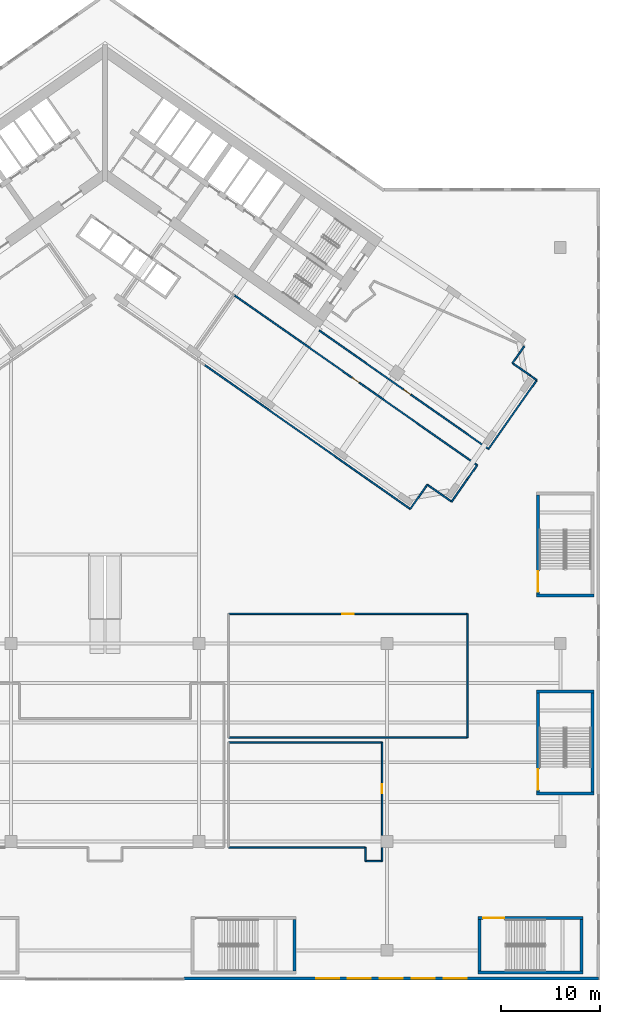
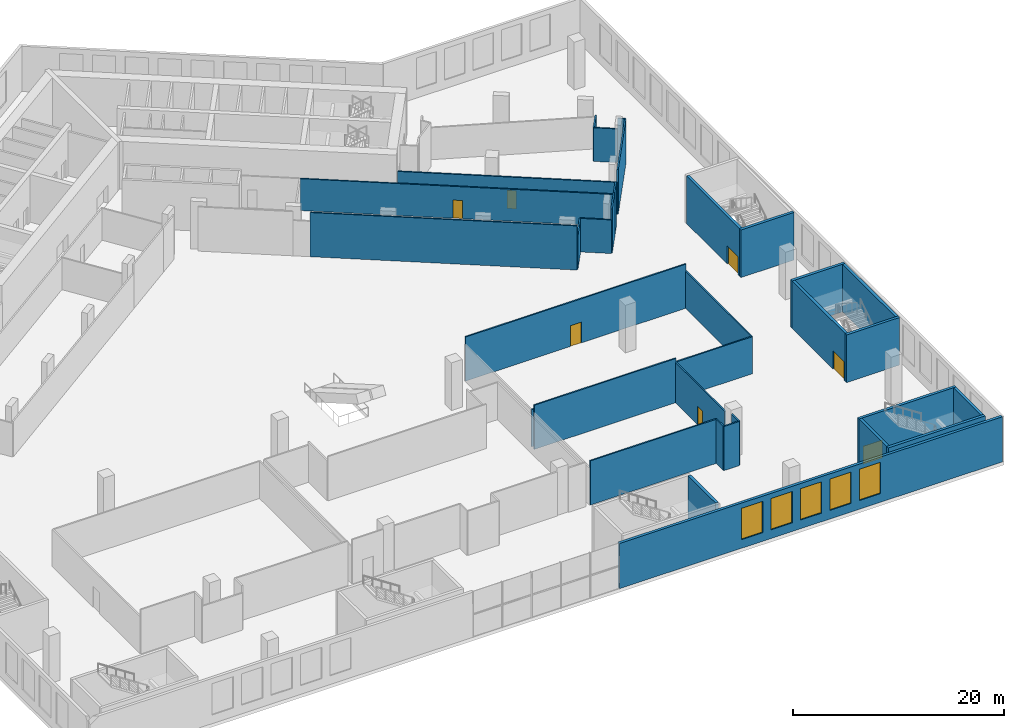
# One storey, part 8 of 26: 32 walls, 7 doors, 5 windows, 12 openings.
"""IFC4 building model written with IfcOpenShell, lengths in metres."""

from ifc_helpers import new_model, si_unit, direction, frame, frame_2d, origin, place, context, subcontext, project, spatial, rectangle, extrude, material, layer, layer_set, type_object, element, fill, save


model = new_model("IFC4")

# Units and contexts
model_context = context("Model", 3, precision=1e-05, world=origin(), true_north=direction((0.0, 1.0)))
body_context = subcontext(model_context, "Body", "Model", "MODEL_VIEW")
ifc_project = project(units=[si_unit("LENGTHUNIT", "METRE"), si_unit("AREAUNIT", "SQUARE_METRE"), si_unit("VOLUMEUNIT", "CUBIC_METRE"), si_unit("PLANEANGLEUNIT", "RADIAN"), si_unit("MASSUNIT", "GRAM", prefix="KILO")], contexts=[model_context])

# Site, building, storey
site_placement = place(None, origin())
site = spatial("IfcSite", under=ifc_project, at=site_placement, CompositionType="ELEMENT")
building_placement = place(site_placement, origin())
building = spatial("IfcBuilding", under=site, at=building_placement, Name="Tel Ilan Convention Tower", CompositionType="ELEMENT")
storey_placement = place(building_placement, frame((0.0, 0.0, 37.5)))
storey = spatial("IfcBuildingStorey", under=building, at=storey_placement, Name="L05", CompositionType="ELEMENT", Elevation=37.5)

# Wall, opening, door
ifc_material_1 = material(Name="Plasterboard on Steel Studs", Category="steel")
ifc_layer_1 = layer(ifc_material_1, 0.14990234375)
ifc_layer_set_1 = layer_set([ifc_layer_1], Name="Fire-rated Partition 150 EI 60")
wall_type_1 = type_object("IfcWallType", Name="Fire-rated Partition 150 EI 60", PredefinedType="PARTITIONING", material=ifc_layer_set_1)
wall_1_placement = place(storey_placement, frame((21.641845703125, -16.37451171875, 0.0), z_axis=(0.0, 0.0, 1.0), x_axis=(0.819148965066, -0.573580833911, 0.0)))
wall_1 = element("IfcWall", 1, at=wall_1_placement, inside=storey, type_object=wall_type_1, Name="Partition 001", PredefinedType="PARTITIONING", context=body_context, shape_type="SweptSolid", body=[
    extrude(rectangle(XDim=20.8798828125, YDim=0.14990234375, at=frame_2d((10.43994140625, 0.0))), origin(), (0.0, 0.0, 1.0), 3.679931640625),
])
opening_1_placement = place(wall_1_placement, frame((10.389892578125, 0.0, 0.0)))
opening_1 = element("IfcOpeningElement", 2, at=opening_1_placement, cuts=wall_1, Name="Opening L05-006", PredefinedType="OPENING", context=body_context, shape_type="SweptSolid", body=[
    extrude(rectangle(XDim=0.89990234375, YDim=2.10009765625, at=frame_2d((0.449951171875, 1.050048828125))), frame((0.0, 0.0849609375, 0.0), z_axis=(0.0, -1.0, 0.0), x_axis=(1.0, 0.0, 0.0)), (0.0, 0.0, 1.0), 0.169921875),
])
ifc_material_2 = material(Name="Timber Door Leaf in Steel Frame", Category="steel")
door_type_1 = type_object("IfcDoorType", Name="Room Fire Door 900x2100", OperationType="NOTDEFINED", PredefinedType="DOOR", material=ifc_material_2)
door_1_placement = place(opening_1_placement, origin())
door_1 = element("IfcDoor", 3, at=door_1_placement, inside=storey, type_object=door_type_1, Name="Door L05-006", OperationType="SINGLE_SWING_RIGHT", OverallHeight=2.10009765625, OverallWidth=0.89990234375, PredefinedType="DOOR", context=body_context, shape_type="SweptSolid", body=[
    extrude(rectangle(XDim=0.89990234375, YDim=2.10009765625, at=frame_2d((0.449951171875, 1.050048828125))), frame((0.0, 0.02490234375, 0.0), z_axis=(0.0, -1.0, 0.0), x_axis=(1.0, 0.0, 0.0)), (0.0, 0.0, 1.0), 0.050048828125),
])
fill(opening_1, door_1)

wall_2_placement = place(storey_placement, frame((37.5986328125, -29.989013671875, 0.0), z_axis=(0.0, 0.0, 1.0), x_axis=(-0.819154688631, 0.57357265982, 0.0)))
wall_2 = element("IfcWall", 4, at=wall_2_placement, inside=storey, type_object=wall_type_1, Name="Partition 003", PredefinedType="PARTITIONING", context=body_context, shape_type="SweptSolid", body=[
    extrude(rectangle(XDim=30.001953125, YDim=0.14990234375, at=frame_2d((15.0009765625, 0.0))), origin(), (0.0, 0.0, 1.0), 3.679931640625),
])
opening_2_placement = place(wall_2_placement, frame((14.551025390625, 0.0, 0.0)))
opening_2 = element("IfcOpeningElement", 5, at=opening_2_placement, cuts=wall_2, Name="Opening L05-005", PredefinedType="OPENING", context=body_context, shape_type="SweptSolid", body=[
    extrude(rectangle(XDim=0.89990234375, YDim=2.10009765625, at=frame_2d((0.449951171875, 1.050048828125))), frame((0.0, 0.0849609375, 0.0), z_axis=(0.0, -1.0, 0.0), x_axis=(1.0, 0.0, 0.0)), (0.0, 0.0, 1.0), 0.169921875),
])
door_2_placement = place(opening_2_placement, origin())
door_2 = element("IfcDoor", 6, at=door_2_placement, inside=storey, type_object=door_type_1, Name="Door L05-005", OperationType="SINGLE_SWING_LEFT", OverallHeight=2.10009765625, OverallWidth=0.89990234375, PredefinedType="DOOR", context=body_context, shape_type="SweptSolid", body=[
    extrude(rectangle(XDim=0.89990234375, YDim=2.10009765625, at=frame_2d((0.449951171875, 1.050048828125))), frame((0.0, 0.02490234375, 0.0), z_axis=(0.0, -1.0, 0.0), x_axis=(1.0, 0.0, 0.0)), (0.0, 0.0, 1.0), 0.050048828125),
])
fill(opening_2, door_2)

# Walls
wall_3_placement = place(storey_placement, frame((42.357421875, -17.96240234375, 0.0), z_axis=(0.0, 0.0, 1.0), x_axis=(-0.573533201177, -0.819182316183, 0.0)))
element("IfcWall", 7, at=wall_3_placement, inside=storey, type_object=wall_type_1, Name="Partition 007", PredefinedType="PARTITIONING", context=body_context, shape_type="SweptSolid", body=[
    extrude(rectangle(XDim=2.0810546875, YDim=0.14990234375, at=frame_2d((1.04052734375, 0.0))), origin(), (0.0, 0.0, 1.0), 3.8798828125),
])
wall_4_placement = place(storey_placement, frame((41.163818359375, -19.667236328125, 0.0), z_axis=(0.0, 0.0, 1.0), x_axis=(0.81912956014, -0.573608545704, 0.0)))
element("IfcWall", 8, at=wall_4_placement, inside=storey, type_object=wall_type_1, Name="Partition 008", PredefinedType="PARTITIONING", context=body_context, shape_type="SweptSolid", body=[
    extrude(rectangle(XDim=2.2412109375, YDim=0.14990234375, at=frame_2d((1.12060546875, 0.0))), origin(), (0.0, 0.0, 1.0), 3.8798828125),
])
wall_5_placement = place(storey_placement, frame((42.998046875, -20.95166015625, 0.0), z_axis=(0.0, 0.0, 1.0), x_axis=(0.819141432686, -0.573591590992, 0.0)))
element("IfcWall", 9, at=wall_5_placement, inside=storey, type_object=wall_type_1, Name="Partition 009", PredefinedType="PARTITIONING", context=body_context, shape_type="SweptSolid", body=[
    extrude(rectangle(XDim=0.760498046875, YDim=0.14990234375, at=frame_2d((0.38037109375, 0.0))), origin(), (0.0, 0.0, 1.0), 5.10009765625),
])
wall_6_placement = place(storey_placement, frame((43.62109375, -21.387939453125, 0.0), z_axis=(0.0, 0.0, 1.0), x_axis=(-0.57357799764, -0.819150951061, 0.0)))
element("IfcWall", 10, at=wall_6_placement, inside=storey, type_object=wall_type_1, Name="Partition 010", PredefinedType="PARTITIONING", context=body_context, shape_type="SweptSolid", body=[
    extrude(rectangle(XDim=8.500244140625, YDim=0.14990234375, at=frame_2d((4.25, 0.0))), origin(), (0.0, 0.0, 1.0), 5.10009765625),
])
wall_7_placement = place(storey_placement, frame((32.56005859375, -31.95458984375, 0.0), z_axis=(0.0, 0.0, 1.0), x_axis=(-0.573560650686, -0.819163097304, 0.0)))
element("IfcWall", 11, at=wall_7_placement, inside=storey, type_object=wall_type_1, Name="Partition 021", PredefinedType="PARTITIONING", context=body_context, shape_type="SweptSolid", body=[
    extrude(rectangle(XDim=3.0, YDim=0.14990234375, at=frame_2d((1.5, 0.0))), origin(), (0.0, 0.0, 1.0), 3.8798828125),
])
wall_8_placement = place(storey_placement, frame((30.83935546875, -34.412109375, 0.0), z_axis=(0.0, 0.0, 1.0), x_axis=(-0.819153188106, 0.573574802808, 0.0)))
element("IfcWall", 12, at=wall_8_placement, inside=storey, type_object=wall_type_1, Name="Partition 022", PredefinedType="PARTITIONING", context=body_context, shape_type="SweptSolid", body=[
    extrude(rectangle(XDim=25.3505859375, YDim=0.14990234375, at=frame_2d((12.67529296875, 0.0))), origin(), (0.0, 0.0, 1.0), 5.10009765625),
])
wall_9_placement = place(storey_placement, frame((36.59912109375, -31.41650390625, 0.0), z_axis=(0.0, 0.0, 1.0), x_axis=(-0.573557416232, -0.819165361991, 0.0)))
element("IfcWall", 13, at=wall_9_placement, inside=storey, type_object=wall_type_1, Name="Partition 023", PredefinedType="PARTITIONING", context=body_context, shape_type="SweptSolid", body=[
    extrude(rectangle(XDim=2.75732421875, YDim=0.14990234375, at=frame_2d((1.378662109375, 0.0))), origin(), (0.0, 0.0, 1.0), 5.10009765625),
])
wall_10_placement = place(storey_placement, frame((35.017578125, -33.67529296875, 0.0), z_axis=(0.0, 0.0, 1.0), x_axis=(-0.819163097304, 0.573560650686, 0.0)))
element("IfcWall", 14, at=wall_10_placement, inside=storey, type_object=wall_type_1, Name="Partition 024", PredefinedType="PARTITIONING", context=body_context, shape_type="SweptSolid", body=[
    extrude(rectangle(XDim=3.0, YDim=0.14990234375, at=frame_2d((1.5, 0.0))), origin(), (0.0, 0.0, 1.0), 3.8798828125),
])
wall_11_placement = place(storey_placement, frame((37.5986328125, -29.989013671875, 0.0), z_axis=(0.0, 0.0, 1.0), x_axis=(-0.573575034625, -0.819153025786, 0.0)))
element("IfcWall", 15, at=wall_11_placement, inside=storey, type_object=wall_type_1, Name="Partition 025", PredefinedType="PARTITIONING", context=body_context, shape_type="SweptSolid", body=[
    extrude(rectangle(XDim=1.74462890625, YDim=0.14990234375, at=frame_2d((0.872314453125, 0.0))), origin(), (0.0, 0.0, 1.0), 5.10009765625),
])
wall_12_placement = place(storey_placement, frame((26.301025390625, -70.0009765625, 0.0), z_axis=(0.0, 0.0, 1.0), x_axis=(1.0, 0.0, 0.0)))
element("IfcWall", 16, at=wall_12_placement, inside=storey, type_object=wall_type_1, Name="Partition 033", PredefinedType="PARTITIONING", context=body_context, shape_type="SweptSolid", body=[
    extrude(rectangle(XDim=1.698974609375, YDim=0.14990234375, at=frame_2d((0.849609375, 0.0))), origin(), (0.0, 0.0, 1.0), 5.10009765625),
])
wall_13_placement = place(storey_placement, frame((28.0009765625, -70.0, 0.0), z_axis=(0.0, 0.0, 1.0), x_axis=(0.0, 1.0, 0.0)))
element("IfcWall", 17, at=wall_13_placement, inside=storey, type_object=wall_type_1, Name="Partition 034", PredefinedType="PARTITIONING", context=body_context, shape_type="SweptSolid", body=[
    extrude(rectangle(XDim=1.3798828125, YDim=0.14990234375, at=frame_2d((0.68994140625, 0.0))), origin(), (0.0, 0.0, 1.0), 5.10009765625),
])

# Wall, opening, door
wall_14_placement = place(storey_placement, frame((28.0009765625, -67.3798828125, 0.0), z_axis=(0.0, 0.0, 1.0), x_axis=(0.0, 1.0, 0.0)))
wall_14 = element("IfcWall", 18, at=wall_14_placement, inside=storey, type_object=wall_type_1, Name="Partition 035", PredefinedType="PARTITIONING", context=body_context, shape_type="SweptSolid", body=[
    extrude(rectangle(XDim=9.3798828125, YDim=0.14990234375, at=frame_2d((4.68994140625, 0.0))), origin(), (0.0, 0.0, 1.0), 4.6298828125),
])
opening_3_placement = place(wall_14_placement, frame((4.239990234375, 0.0, 0.0)))
opening_3 = element("IfcOpeningElement", 19, at=opening_3_placement, cuts=wall_14, Name="Opening L05-009", PredefinedType="OPENING", context=body_context, shape_type="SweptSolid", body=[
    extrude(rectangle(XDim=0.89990234375, YDim=2.10009765625, at=frame_2d((0.449951171875, 1.050048828125))), frame((0.0, 0.0849609375, 0.0), z_axis=(0.0, -1.0, 0.0), x_axis=(1.0, 0.0, 0.0)), (0.0, 0.0, 1.0), 0.169921875),
])
ifc_material_3 = material(Name="Timber Door Leaf in Steel Frame", Category="steel")
door_type_2 = type_object("IfcDoorType", Name="Riser and Service Fire Door 900x2100", OperationType="NOTDEFINED", PredefinedType="DOOR", material=ifc_material_3)
door_3_placement = place(opening_3_placement, origin())
door_3 = element("IfcDoor", 20, at=door_3_placement, inside=storey, type_object=door_type_2, Name="Door L05-009", OperationType="SINGLE_SWING_RIGHT", OverallHeight=2.10009765625, OverallWidth=0.89990234375, PredefinedType="DOOR", context=body_context, shape_type="SweptSolid", body=[
    extrude(rectangle(XDim=0.89990234375, YDim=2.10009765625, at=frame_2d((0.449951171875, 1.050048828125))), frame((0.0, 0.02490234375, 0.0), z_axis=(0.0, -1.0, 0.0), x_axis=(1.0, 0.0, 0.0)), (0.0, 0.0, 1.0), 0.050048828125),
])
fill(opening_3, door_3)

# Wall
wall_15_placement = place(storey_placement, frame((28.0, -57.9990234375, 0.0), z_axis=(0.0, 0.0, 1.0), x_axis=(-1.0, 0.0, 0.0)))
element("IfcWall", 21, at=wall_15_placement, inside=storey, type_object=wall_type_1, Name="Partition 036", PredefinedType="PARTITIONING", context=body_context, shape_type="SweptSolid", body=[
    extrude(rectangle(XDim=15.5, YDim=0.14990234375, at=frame_2d((7.75, 0.0))), origin(), (0.0, 0.0, 1.0), 5.10009765625),
])

# Wall, opening, door
wall_16_placement = place(storey_placement, frame((36.59912109375, -44.9990234375, 0.0), z_axis=(0.0, 0.0, 1.0), x_axis=(-1.0, 0.0, 0.0)))
wall_16 = element("IfcWall", 22, at=wall_16_placement, inside=storey, type_object=wall_type_1, Name="Partition 038", PredefinedType="PARTITIONING", context=body_context, shape_type="SweptSolid", body=[
    extrude(rectangle(XDim=24.09912109375, YDim=0.14990234375, at=frame_2d((12.049560546875, 0.0))), origin(), (0.0, 0.0, 1.0), 5.10009765625),
])
opening_4_placement = place(wall_16_placement, frame((11.449462890625, 0.0, 0.0)))
opening_4 = element("IfcOpeningElement", 23, at=opening_4_placement, cuts=wall_16, Name="Opening L05-010", PredefinedType="OPENING", context=body_context, shape_type="SweptSolid", body=[
    extrude(rectangle(XDim=1.199951171875, YDim=2.39990234375, at=frame_2d((0.60009765625, 1.199951171875))), frame((0.0, 0.0849609375, 0.0), z_axis=(0.0, -1.0, 0.0), x_axis=(1.0, 0.0, 0.0)), (0.0, 0.0, 1.0), 0.169921875),
])
ifc_material_4 = material(Name="Glazed Aluminium Door", Category="aluminium")
door_type_3 = type_object("IfcDoorType", Name="Glazed Lobby Door 1200x2400", OperationType="NOTDEFINED", PredefinedType="DOOR", material=ifc_material_4)
door_4_placement = place(opening_4_placement, origin())
door_4 = element("IfcDoor", 24, at=door_4_placement, inside=storey, type_object=door_type_3, Name="Door L05-010", OperationType="DOUBLE_DOOR_SINGLE_SWING", OverallHeight=2.39990234375, OverallWidth=1.199951171875, PredefinedType="DOOR", context=body_context, shape_type="SweptSolid", body=[
    extrude(rectangle(XDim=1.199951171875, YDim=2.39990234375, at=frame_2d((0.60009765625, 1.199951171875))), frame((0.0, 0.02490234375, 0.0), z_axis=(0.0, -1.0, 0.0), x_axis=(1.0, 0.0, 0.0)), (0.0, 0.0, 1.0), 0.050048828125),
])
fill(opening_4, door_4)

# Walls
wall_17_placement = place(storey_placement, frame((12.5, -57.5009765625, 0.0), z_axis=(0.0, 0.0, 1.0), x_axis=(1.0, 0.0, 0.0)))
element("IfcWall", 25, at=wall_17_placement, inside=storey, type_object=wall_type_1, Name="Partition 040", PredefinedType="PARTITIONING", context=body_context, shape_type="SweptSolid", body=[
    extrude(rectangle(XDim=24.09912109375, YDim=0.14990234375, at=frame_2d((12.049560546875, 0.0))), origin(), (0.0, 0.0, 1.0), 4.280029296875),
])
wall_18_placement = place(storey_placement, frame((12.498291015625, -68.60009765625, 0.0), z_axis=(0.0, 0.0, 1.0), x_axis=(1.0, 0.0, 0.0)))
element("IfcWall", 26, at=wall_18_placement, inside=storey, type_object=wall_type_1, Name="Partition 061", PredefinedType="PARTITIONING", context=body_context, shape_type="SweptSolid", body=[
    extrude(rectangle(XDim=13.8017578125, YDim=0.14990234375, at=frame_2d((6.90087890625, 0.0))), origin(), (0.0, 0.0, 1.0), 5.10009765625),
])
wall_19_placement = place(storey_placement, frame((26.300048828125, -68.60009765625, 0.0), z_axis=(0.0, 0.0, 1.0), x_axis=(0.0, -1.0, 0.0)))
element("IfcWall", 27, at=wall_19_placement, inside=storey, type_object=wall_type_1, Name="Partition 062", PredefinedType="PARTITIONING", context=body_context, shape_type="SweptSolid", body=[
    extrude(rectangle(XDim=1.401611328125, YDim=0.14990234375, at=frame_2d((0.70068359375, 0.0))), origin(), (0.0, 0.0, 1.0), 5.10009765625),
])
wall_20_placement = place(storey_placement, frame((36.60009765625, -57.501708984375, 0.0), z_axis=(0.0, 0.0, 1.0), x_axis=(0.0, 1.0, 0.0)))
element("IfcWall", 28, at=wall_20_placement, inside=storey, type_object=wall_type_1, Name="Partition 063", PredefinedType="PARTITIONING", context=body_context, shape_type="SweptSolid", body=[
    extrude(rectangle(XDim=12.50341796875, YDim=0.14990234375, at=frame_2d((6.251708984375, 0.0))), origin(), (0.0, 0.0, 1.0), 4.280029296875),
])

# Wall, openings, windows
ifc_material_5 = material(Name="Bronze aluminium cladding panel on insulated steel frame", Category="steel")
ifc_layer_2 = layer(ifc_material_5, 0.300048828125)
ifc_layer_set_2 = layer_set([ifc_layer_2], Name="PODIUM CLADDING WALL 300")
wall_type_2 = type_object("IfcWallType", Name="PODIUM CLADDING WALL 300", PredefinedType="SOLIDWALL", material=ifc_layer_set_2)
wall_21_placement = place(storey_placement, frame((8.0, -81.85009765625, 0.0), z_axis=(0.0, 0.0, 1.0), x_axis=(1.0, 0.0, 0.0)))
wall_21 = element("IfcWall", 29, at=wall_21_placement, inside=storey, type_object=wall_type_2, Name="Podium cladding wall", PredefinedType="SOLIDWALL", context=body_context, shape_type="SweptSolid", body=[
    extrude(rectangle(XDim=41.85009765625, YDim=0.300048828125, at=frame_2d((20.925048828125, 0.0))), origin(), (0.0, 0.0, 1.0), 5.219970703125),
])
opening_5_placement = place(wall_21_placement, frame((13.326904296875, 0.0, 1.0)))
opening_5 = element("IfcOpeningElement", 30, at=opening_5_placement, cuts=wall_21, Name="Opening W-08.006", PredefinedType="OPENING", context=body_context, shape_type="SweptSolid", body=[
    extrude(rectangle(XDim=2.3193359375, YDim=3.6201171875, at=frame_2d((1.15966796875, 1.81005859375))), frame((0.0, 0.159912109375, 0.0), z_axis=(0.0, -1.0, 0.0), x_axis=(1.0, 0.0, 0.0)), (0.0, 0.0, 1.0), 0.320068359375),
])
opening_6_placement = place(wall_21_placement, frame((16.546142578125, 0.0, 1.0)))
opening_6 = element("IfcOpeningElement", 31, at=opening_6_placement, cuts=wall_21, Name="Opening W-08.007", PredefinedType="OPENING", context=body_context, shape_type="SweptSolid", body=[
    extrude(rectangle(XDim=2.3193359375, YDim=3.6201171875, at=frame_2d((1.15966796875, 1.81005859375))), frame((0.0, 0.159912109375, 0.0), z_axis=(0.0, -1.0, 0.0), x_axis=(1.0, 0.0, 0.0)), (0.0, 0.0, 1.0), 0.320068359375),
])
opening_7_placement = place(wall_21_placement, frame((19.765380859375, 0.0, 1.0)))
opening_7 = element("IfcOpeningElement", 32, at=opening_7_placement, cuts=wall_21, Name="Opening W-08.008", PredefinedType="OPENING", context=body_context, shape_type="SweptSolid", body=[
    extrude(rectangle(XDim=2.3193359375, YDim=3.6201171875, at=frame_2d((1.15966796875, 1.81005859375))), frame((0.0, 0.159912109375, 0.0), z_axis=(0.0, -1.0, 0.0), x_axis=(1.0, 0.0, 0.0)), (0.0, 0.0, 1.0), 0.320068359375),
])
opening_8_placement = place(wall_21_placement, frame((22.984619140625, 0.0, 1.0)))
opening_8 = element("IfcOpeningElement", 33, at=opening_8_placement, cuts=wall_21, Name="Opening W-08.009", PredefinedType="OPENING", context=body_context, shape_type="SweptSolid", body=[
    extrude(rectangle(XDim=2.3193359375, YDim=3.6201171875, at=frame_2d((1.15966796875, 1.81005859375))), frame((0.0, 0.159912109375, 0.0), z_axis=(0.0, -1.0, 0.0), x_axis=(1.0, 0.0, 0.0)), (0.0, 0.0, 1.0), 0.320068359375),
])
opening_9_placement = place(wall_21_placement, frame((26.203857421875, 0.0, 1.0)))
opening_9 = element("IfcOpeningElement", 34, at=opening_9_placement, cuts=wall_21, Name="Opening W-08.010", PredefinedType="OPENING", context=body_context, shape_type="SweptSolid", body=[
    extrude(rectangle(XDim=2.3193359375, YDim=3.6201171875, at=frame_2d((1.15966796875, 1.81005859375))), frame((0.0, 0.159912109375, 0.0), z_axis=(0.0, -1.0, 0.0), x_axis=(1.0, 0.0, 0.0)), (0.0, 0.0, 1.0), 0.320068359375),
])
ifc_material_6 = material(Name="Aluminium framed glazing, bronze anodised, tinted glass", Category="aluminium")
window_type = type_object("IfcWindowType", Name="PODIUM WINDOW 2319x3620", PartitioningType="SINGLE_PANEL", PredefinedType="WINDOW", material=ifc_material_6)
window_1_placement = place(opening_5_placement, origin())
window_1 = element("IfcWindow", 35, at=window_1_placement, inside=storey, type_object=window_type, Name="Podium window", OverallHeight=3.6201171875, OverallWidth=2.3193359375, PartitioningType="SINGLE_PANEL", PredefinedType="WINDOW", context=body_context, shape_type="SweptSolid", body=[
    extrude(rectangle(XDim=2.3193359375, YDim=3.6201171875, at=frame_2d((1.15966796875, 1.81005859375))), frame((0.0, 0.030029296875, 0.0), z_axis=(0.0, -1.0, 0.0), x_axis=(1.0, 0.0, 0.0)), (0.0, 0.0, 1.0), 0.06005859375),
])
fill(opening_5, window_1)
window_2_placement = place(opening_6_placement, origin())
window_2 = element("IfcWindow", 36, at=window_2_placement, inside=storey, type_object=window_type, Name="Podium window", OverallHeight=3.6201171875, OverallWidth=2.3193359375, PartitioningType="SINGLE_PANEL", PredefinedType="WINDOW", context=body_context, shape_type="SweptSolid", body=[
    extrude(rectangle(XDim=2.3193359375, YDim=3.6201171875, at=frame_2d((1.15966796875, 1.81005859375))), frame((0.0, 0.030029296875, 0.0), z_axis=(0.0, -1.0, 0.0), x_axis=(1.0, 0.0, 0.0)), (0.0, 0.0, 1.0), 0.06005859375),
])
fill(opening_6, window_2)
window_3_placement = place(opening_7_placement, origin())
window_3 = element("IfcWindow", 37, at=window_3_placement, inside=storey, type_object=window_type, Name="Podium window", OverallHeight=3.6201171875, OverallWidth=2.3193359375, PartitioningType="SINGLE_PANEL", PredefinedType="WINDOW", context=body_context, shape_type="SweptSolid", body=[
    extrude(rectangle(XDim=2.3193359375, YDim=3.6201171875, at=frame_2d((1.15966796875, 1.81005859375))), frame((0.0, 0.030029296875, 0.0), z_axis=(0.0, -1.0, 0.0), x_axis=(1.0, 0.0, 0.0)), (0.0, 0.0, 1.0), 0.06005859375),
])
fill(opening_7, window_3)
window_4_placement = place(opening_8_placement, origin())
window_4 = element("IfcWindow", 38, at=window_4_placement, inside=storey, type_object=window_type, Name="Podium window", OverallHeight=3.6201171875, OverallWidth=2.3193359375, PartitioningType="SINGLE_PANEL", PredefinedType="WINDOW", context=body_context, shape_type="SweptSolid", body=[
    extrude(rectangle(XDim=2.3193359375, YDim=3.6201171875, at=frame_2d((1.15966796875, 1.81005859375))), frame((0.0, 0.030029296875, 0.0), z_axis=(0.0, -1.0, 0.0), x_axis=(1.0, 0.0, 0.0)), (0.0, 0.0, 1.0), 0.06005859375),
])
fill(opening_8, window_4)
window_5_placement = place(opening_9_placement, origin())
window_5 = element("IfcWindow", 39, at=window_5_placement, inside=storey, type_object=window_type, Name="Podium window", OverallHeight=3.6201171875, OverallWidth=2.3193359375, PartitioningType="SINGLE_PANEL", PredefinedType="WINDOW", context=body_context, shape_type="SweptSolid", body=[
    extrude(rectangle(XDim=2.3193359375, YDim=3.6201171875, at=frame_2d((1.15966796875, 1.81005859375))), frame((0.0, 0.030029296875, 0.0), z_axis=(0.0, -1.0, 0.0), x_axis=(1.0, 0.0, 0.0)), (0.0, 0.0, 1.0), 0.06005859375),
])
fill(opening_9, window_5)

# Walls
ifc_material_7 = material(Name="Concrete C40/50", Category="concrete")
ifc_layer_3 = layer(ifc_material_7, 0.300048828125)
ifc_layer_set_3 = layer_set([ifc_layer_3], Name="Stair Enclosure Wall 300 mm C40/50")
wall_type_3 = type_object("IfcWallType", Name="Stair Enclosure Wall 300 mm C40/50", PredefinedType="SOLIDWALL", material=ifc_layer_set_3)
wall_22_placement = place(storey_placement, frame((19.14990234375, -81.10009765625, 0.0), z_axis=(0.0, 0.0, 1.0), x_axis=(0.0, 1.0, 0.0)))
element("IfcWall", 40, at=wall_22_placement, inside=storey, type_object=wall_type_3, Name="P3 stair enclosure wall E L05", PredefinedType="SOLIDWALL", context=body_context, shape_type="SweptSolid", body=[
    extrude(rectangle(XDim=5.2001953125, YDim=0.300048828125, at=frame_2d((2.60009765625, 0.0))), origin(), (0.0, 0.0, 1.0), 5.5),
])
wall_23_placement = place(storey_placement, frame((37.699951171875, -81.25, 0.0), z_axis=(0.0, 0.0, 1.0), x_axis=(1.0, 0.0, 0.0)))
element("IfcWall", 41, at=wall_23_placement, inside=storey, type_object=wall_type_3, Name="P4 stair enclosure wall S L05", PredefinedType="SOLIDWALL", context=body_context, shape_type="SweptSolid", body=[
    extrude(rectangle(XDim=10.60009765625, YDim=0.300048828125, at=frame_2d((5.300048828125, 0.0))), origin(), (0.0, 0.0, 1.0), 5.5),
])

# Wall, opening, door
wall_24_placement = place(storey_placement, frame((37.699951171875, -75.75, 0.0), z_axis=(0.0, 0.0, 1.0), x_axis=(1.0, 0.0, 0.0)))
wall_24 = element("IfcWall", 42, at=wall_24_placement, inside=storey, type_object=wall_type_3, Name="P4 stair enclosure wall N L05", PredefinedType="SOLIDWALL", context=body_context, shape_type="SweptSolid", body=[
    extrude(rectangle(XDim=10.60009765625, YDim=0.300048828125, at=frame_2d((5.300048828125, 0.0))), origin(), (0.0, 0.0, 1.0), 5.5),
])
opening_10_placement = place(wall_24_placement, frame((0.512451171875, 0.0, 0.0)))
opening_10 = element("IfcOpeningElement", 43, at=opening_10_placement, cuts=wall_24, Name="Opening PD408", PredefinedType="OPENING", context=body_context, shape_type="SweptSolid", body=[
    extrude(rectangle(XDim=2.10009765625, YDim=2.10009765625, at=frame_2d((1.050048828125, 1.050048828125))), frame((0.0, 0.159912109375, 0.0), z_axis=(0.0, -1.0, 0.0), x_axis=(1.0, 0.0, 0.0)), (0.0, 0.0, 1.0), 0.320068359375),
])
ifc_material_8 = material(Name="Galvanised Steel Door Leaf", Category="steel")
door_type_4 = type_object("IfcDoorType", Name="Stair Fire Door 2100 x 2100 FD60S", OperationType="NOTDEFINED", PredefinedType="DOOR", material=ifc_material_8)
door_5_placement = place(opening_10_placement, origin())
door_5 = element("IfcDoor", 44, at=door_5_placement, inside=storey, type_object=door_type_4, Name="Stair P4 floor door", OperationType="DOUBLE_DOOR_SINGLE_SWING", OverallHeight=2.10009765625, OverallWidth=2.10009765625, PredefinedType="DOOR", context=body_context, shape_type="SweptSolid", body=[
    extrude(rectangle(XDim=2.10009765625, YDim=2.10009765625, at=frame_2d((1.050048828125, 1.050048828125))), frame((0.0, 0.02490234375, 0.0), z_axis=(0.0, -1.0, 0.0), x_axis=(1.0, 0.0, 0.0)), (0.0, 0.0, 1.0), 0.050048828125),
])
fill(opening_10, door_5)

# Walls
for number, where, z_axis, x_axis, name in (
    (45, (37.85009765625, -81.10009765625, 0.0), (0.0, 0.0, 1.0), (0.0, 1.0, 0.0), "P4 stair enclosure wall W L05"),
    (46, (48.14990234375, -81.10009765625, 0.0), (0.0, 0.0, 1.0), (0.0, 1.0, 0.0), "P4 stair enclosure wall E L05"),
):
    element("IfcWall", number, at=place(storey_placement, frame(where, z_axis=z_axis, x_axis=x_axis)), inside=storey, type_object=wall_type_3, Name=name, PredefinedType="SOLIDWALL", context=body_context, shape_type="SweptSolid", body=[
        extrude(rectangle(XDim=5.2001953125, YDim=0.300048828125, at=frame_2d((2.60009765625, 0.0))), origin(), (0.0, 0.0, 1.0), 5.5),
    ])
for number, where, z_axis, x_axis, name in (
    (47, (43.60009765625, -63.14990234375, 0.0), (0.0, 0.0, 1.0), (1.0, 0.0, 0.0), "P6 stair enclosure wall S L05"),
    (48, (43.60009765625, -52.85009765625, 0.0), (0.0, 0.0, 1.0), (1.0, 0.0, 0.0), "P6 stair enclosure wall N L05"),
):
    element("IfcWall", number, at=place(storey_placement, frame(where, z_axis=z_axis, x_axis=x_axis)), inside=storey, type_object=wall_type_3, Name=name, PredefinedType="SOLIDWALL", context=body_context, shape_type="SweptSolid", body=[
        extrude(rectangle(XDim=5.7998046875, YDim=0.300048828125, at=frame_2d((2.89990234375, 0.0))), origin(), (0.0, 0.0, 1.0), 5.5),
    ])

# Wall, opening, door
wall_25_placement = place(storey_placement, frame((43.75, -63.0, 0.0), z_axis=(0.0, 0.0, 1.0), x_axis=(0.0, 1.0, 0.0)))
wall_25 = element("IfcWall", 49, at=wall_25_placement, inside=storey, type_object=wall_type_3, Name="P6 stair enclosure wall W L05", PredefinedType="SOLIDWALL", context=body_context, shape_type="SweptSolid", body=[
    extrude(rectangle(XDim=10.0, YDim=0.300048828125, at=frame_2d((5.0, 0.0))), origin(), (0.0, 0.0, 1.0), 5.5),
])
opening_11_placement = place(wall_25_placement, frame((0.21240234375, 0.0, 0.0)))
opening_11 = element("IfcOpeningElement", 50, at=opening_11_placement, cuts=wall_25, Name="Opening PD608", PredefinedType="OPENING", context=body_context, shape_type="SweptSolid", body=[
    extrude(rectangle(XDim=2.10009765625, YDim=2.10009765625, at=frame_2d((1.050048828125, 1.050048828125))), frame((0.0, 0.159912109375, 0.0), z_axis=(0.0, -1.0, 0.0), x_axis=(1.0, 0.0, 0.0)), (0.0, 0.0, 1.0), 0.320068359375),
])
door_6_placement = place(opening_11_placement, origin())
door_6 = element("IfcDoor", 51, at=door_6_placement, inside=storey, type_object=door_type_4, Name="Stair P6 floor door", OperationType="DOUBLE_DOOR_SINGLE_SWING", OverallHeight=2.10009765625, OverallWidth=2.10009765625, PredefinedType="DOOR", context=body_context, shape_type="SweptSolid", body=[
    extrude(rectangle(XDim=2.10009765625, YDim=2.10009765625, at=frame_2d((1.050048828125, 1.050048828125))), frame((0.0, 0.02490234375, 0.0), z_axis=(0.0, -1.0, 0.0), x_axis=(1.0, 0.0, 0.0)), (0.0, 0.0, 1.0), 0.050048828125),
])
fill(opening_11, door_6)

# Walls
wall_26_placement = place(storey_placement, frame((49.25, -63.0, 0.0), z_axis=(0.0, 0.0, 1.0), x_axis=(0.0, 1.0, 0.0)))
element("IfcWall", 52, at=wall_26_placement, inside=storey, type_object=wall_type_3, Name="P6 stair enclosure wall E L05", PredefinedType="SOLIDWALL", context=body_context, shape_type="SweptSolid", body=[
    extrude(rectangle(XDim=10.0, YDim=0.300048828125, at=frame_2d((5.0, 0.0))), origin(), (0.0, 0.0, 1.0), 5.5),
])
wall_27_placement = place(storey_placement, frame((43.60009765625, -43.14990234375, 0.0), z_axis=(0.0, 0.0, 1.0), x_axis=(1.0, 0.0, 0.0)))
element("IfcWall", 53, at=wall_27_placement, inside=storey, type_object=wall_type_3, Name="P8 stair enclosure wall S L05", PredefinedType="SOLIDWALL", context=body_context, shape_type="SweptSolid", body=[
    extrude(rectangle(XDim=5.7998046875, YDim=0.300048828125, at=frame_2d((2.89990234375, 0.0))), origin(), (0.0, 0.0, 1.0), 5.5),
])

# Wall, opening, door
wall_28_placement = place(storey_placement, frame((43.75, -43.0, 0.0), z_axis=(0.0, 0.0, 1.0), x_axis=(0.0, 1.0, 0.0)))
wall_28 = element("IfcWall", 54, at=wall_28_placement, inside=storey, type_object=wall_type_3, Name="P8 stair enclosure wall W L05", PredefinedType="SOLIDWALL", context=body_context, shape_type="SweptSolid", body=[
    extrude(rectangle(XDim=10.0, YDim=0.300048828125, at=frame_2d((5.0, 0.0))), origin(), (0.0, 0.0, 1.0), 5.5),
])
opening_12_placement = place(wall_28_placement, frame((0.21240234375, 0.0, 0.0)))
opening_12 = element("IfcOpeningElement", 55, at=opening_12_placement, cuts=wall_28, Name="Opening PD808", PredefinedType="OPENING", context=body_context, shape_type="SweptSolid", body=[
    extrude(rectangle(XDim=2.10009765625, YDim=2.10009765625, at=frame_2d((1.050048828125, 1.050048828125))), frame((0.0, 0.159912109375, 0.0), z_axis=(0.0, -1.0, 0.0), x_axis=(1.0, 0.0, 0.0)), (0.0, 0.0, 1.0), 0.320068359375),
])
door_7_placement = place(opening_12_placement, origin())
door_7 = element("IfcDoor", 56, at=door_7_placement, inside=storey, type_object=door_type_4, Name="Stair P8 floor door", OperationType="DOUBLE_DOOR_SINGLE_SWING", OverallHeight=2.10009765625, OverallWidth=2.10009765625, PredefinedType="DOOR", context=body_context, shape_type="SweptSolid", body=[
    extrude(rectangle(XDim=2.10009765625, YDim=2.10009765625, at=frame_2d((1.050048828125, 1.050048828125))), frame((0.0, 0.02490234375, 0.0), z_axis=(0.0, -1.0, 0.0), x_axis=(1.0, 0.0, 0.0)), (0.0, 0.0, 1.0), 0.050048828125),
])
fill(opening_12, door_7)

save(model, "model.ifc")
